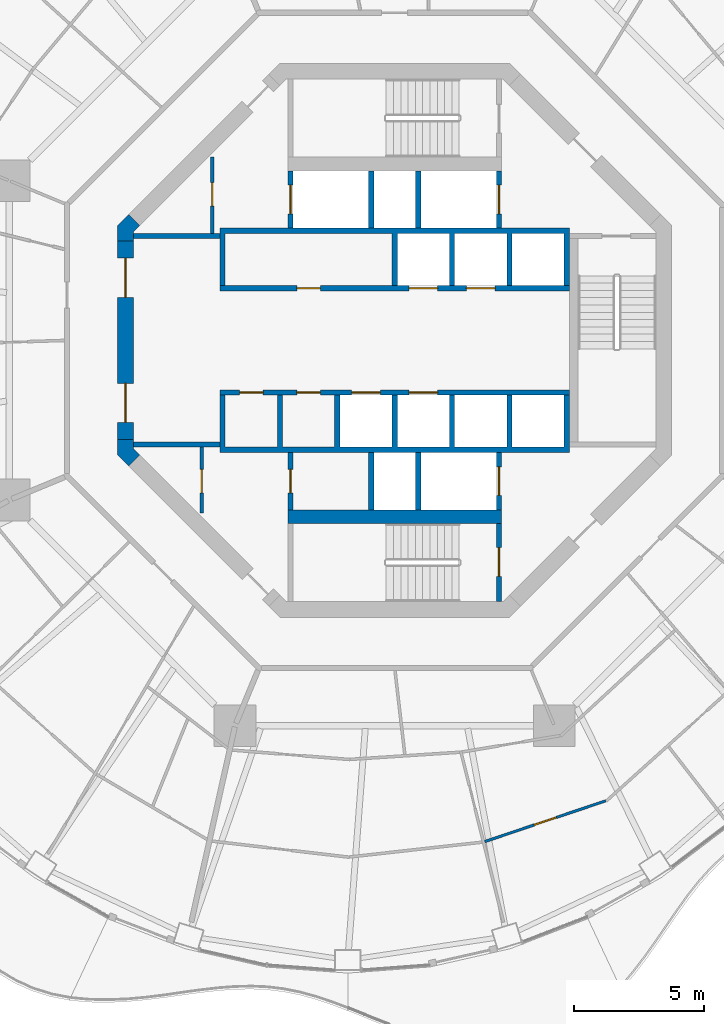
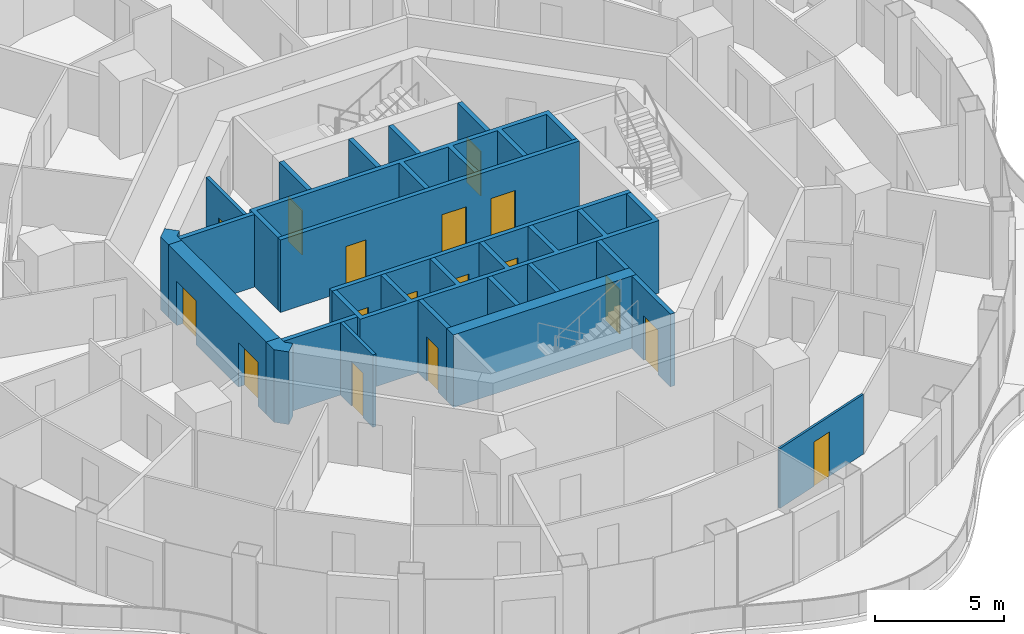
# One storey, part 11 of 18: 22 walls, 17 doors, 17 openings.
"""IFC4 building model written with IfcOpenShell, lengths in metres."""

import ifcopenshell
import ifcopenshell.guid

model = None  # the IFC model being written
_history = None  # IfcOwnerHistory: only IFC2X3 demands one
_inside = {}  # id of a spatial element -> (the spatial element, [elements in it])
_under = {}  # id of a project, library or spatial element -> (it, [spatial elements below it])
_declared = {}  # id of a project -> (the project, [libraries it declares])
_typed = {}  # id of a type object -> (the type object, [elements of that type])
_made_of = {}  # id of a material, layer set ... -> (it, [elements and type objects made of it])


def new_model(schema):
    """Start an empty IFC model of exactly this schema.

    Asked for "IFC4X3", IfcOpenShell would pick the latest addendum, in which some entities
    have other attributes; the version numbers below select the first issue.
    IFC2X3 requires an IfcOwnerHistory on every rooted entity: one is made here for all.
    """
    global model, _history
    if schema == "IFC4X3":
        model = ifcopenshell.file(schema_version=(4, 3, 0, 0))
    else:
        model = ifcopenshell.file(schema=schema)
    _inside.clear()
    _under.clear()
    _declared.clear()
    _typed.clear()
    _made_of.clear()
    _history = None
    if model.schema == "IFC2X3":
        org = make("IfcOrganization", Name="unknown")
        user = make(
            "IfcPersonAndOrganization",
            ThePerson=make("IfcPerson", FamilyName="unknown"),
            TheOrganization=org,
        )
        app = make(
            "IfcApplication",
            ApplicationDeveloper=org,
            Version="unknown",
            ApplicationFullName="unknown",
            ApplicationIdentifier="unknown",
        )
        _history = make(
            "IfcOwnerHistory",
            OwningUser=user,
            OwningApplication=app,
            ChangeAction="ADDED",
            CreationDate=0,
        )
    return model


def make(cls, **values):
    """One entity of the class cls with the attributes given. An attribute that is None is left unset."""
    return model.create_entity(
        cls, **{name: value for name, value in values.items() if value is not None}
    )


def rooted(cls, **values):
    """An entity with a GlobalId (a new one), such as an element, a storey or a relation."""
    return make(cls, GlobalId=ifcopenshell.guid.new(), OwnerHistory=_history, **values)


def si_unit(unit_type, name, prefix=None):
    """IfcSIUnit, for example si_unit("LENGTHUNIT", "METRE", prefix="MILLI")."""
    return make("IfcSIUnit", UnitType=unit_type, Prefix=prefix, Name=name)


def assignment(units):
    """IfcUnitAssignment: the units of a project."""
    return None if units is None else make("IfcUnitAssignment", Units=units)


def point(xyz):
    """IfcCartesianPoint."""
    return None if xyz is None else make("IfcCartesianPoint", Coordinates=xyz)


def direction(xyz):
    """IfcDirection."""
    return None if xyz is None else make("IfcDirection", DirectionRatios=xyz)


def frame(location, z_axis=None, x_axis=None):
    """IfcAxis2Placement3D, a coordinate frame: its origin and axes. An axis left out is left unset."""
    return make(
        "IfcAxis2Placement3D",
        Location=point(location),
        Axis=direction(z_axis),
        RefDirection=direction(x_axis),
    )


def frame_2d(location, x_axis=None):
    """IfcAxis2Placement2D, a coordinate frame in the plane: its origin and x axis."""
    return make(
        "IfcAxis2Placement2D", Location=point(location), RefDirection=direction(x_axis)
    )


def origin():
    """The frame at (0, 0, 0) with its axes left unset."""
    return frame((0.0, 0.0, 0.0))


def place(relative_to, where):
    """IfcLocalPlacement: puts the frame where relative to a parent placement (None: the world)."""
    return make(
        "IfcLocalPlacement", PlacementRelTo=relative_to, RelativePlacement=where
    )


def context(
    kind, dimensions, precision=None, world=None, true_north=None, identifier=None
):
    """IfcGeometricRepresentationContext, for example the 3D "Model" context."""
    return make(
        "IfcGeometricRepresentationContext",
        ContextIdentifier=identifier,
        ContextType=kind,
        CoordinateSpaceDimension=dimensions,
        Precision=precision,
        WorldCoordinateSystem=world,
        TrueNorth=true_north,
    )


def subcontext(parent, identifier, kind, view, scale=None):
    """IfcGeometricRepresentationSubContext, for example "Body" below "Model"."""
    return make(
        "IfcGeometricRepresentationSubContext",
        ContextIdentifier=identifier,
        ContextType=kind,
        ParentContext=parent,
        TargetScale=scale,
        TargetView=view,
    )


def project(units=None, contexts=None):
    """IfcProject with its units and contexts."""
    return rooted(
        "IfcProject",
        Name="project",
        RepresentationContexts=contexts,
        UnitsInContext=assignment(units),
    )


def spatial(cls, under=None, at=None, **own):
    """A site, building, storey or space (cls), placed at a placement, below another one or the project."""
    s = rooted(cls, ObjectPlacement=at, **own)
    if under is not None:
        _under.setdefault(under.id(), (under, []))[1].append(s)
    return s


def polyline(points):
    """IfcPolyline through the points."""
    return make("IfcPolyline", Points=[point(p) for p in points])


def profile(cls, at=None, kind="AREA", **sizes):
    """A parametric profile (cls). Its sizes go by their IFC names, for example OverallWidth=200.0."""
    return make(cls, ProfileType=kind, Position=at, **sizes)


def rectangle(**sizes):
    """IfcRectangleProfileDef."""
    return profile("IfcRectangleProfileDef", **sizes)


def outline(outer, holes=None, kind="AREA"):
    """IfcArbitraryClosedProfileDef: a profile drawn as a closed curve; with holes, ...WithVoids."""
    if holes is None:
        return make("IfcArbitraryClosedProfileDef", ProfileType=kind, OuterCurve=outer)
    return make(
        "IfcArbitraryProfileDefWithVoids",
        ProfileType=kind,
        OuterCurve=outer,
        InnerCurves=holes,
    )


def extrude(swept, where, along, depth):
    """IfcExtrudedAreaSolid: the profile swept, set in the frame where, extruded along a direction by depth."""
    return make(
        "IfcExtrudedAreaSolid",
        SweptArea=swept,
        Position=where,
        ExtrudedDirection=direction(along),
        Depth=depth,
    )


def shape(context_of_items, identifier, shape_type, items):
    """IfcShapeRepresentation: the items that make up one representation, for example the "Body"."""
    return make(
        "IfcShapeRepresentation",
        ContextOfItems=context_of_items,
        RepresentationIdentifier=identifier,
        RepresentationType=shape_type,
        Items=items,
    )


def material(Name=None, Category=None):
    """IfcMaterial."""
    return make("IfcMaterial", Name=Name, Category=Category)


def layer(
    of_material, thickness, ventilated=None, Name=None, Category=None, Priority=None
):
    """IfcMaterialLayer: one layer of a wall or slab, of a material (None: an air gap)."""
    return make(
        "IfcMaterialLayer",
        Material=of_material,
        LayerThickness=thickness,
        IsVentilated=ventilated,
        Name=Name,
        Category=Category,
        Priority=Priority,
    )


def layer_set(layers, Name=None):
    """IfcMaterialLayerSet."""
    return make("IfcMaterialLayerSet", MaterialLayers=layers, LayerSetName=Name)


def made_of(thing, what):
    """Note that an element or type object is made of a material, layer set ...; save() writes the relation."""
    if what is not None:
        _made_of.setdefault(what.id(), (what, []))[1].append(thing)
    return thing


def type_object(cls, material=None, **own):
    """A type object (cls), such as IfcWallType, which elements share."""
    return made_of(rooted(cls, **own), material)


def element(
    cls,
    number,
    at=None,
    inside=None,
    cuts=None,
    type_object=None,
    material=None,
    context=None,
    identifier="Body",
    shape_type=None,
    held_by="IfcProductDefinitionShape",
    body=None,
    shapes=None,
    **own,
):
    """One element of the class cls, such as IfcWall. Its Tag is "e" and its number.

    at: its placement. inside: the storey or other place that contains it. cuts: it is an
    opening in that element (IfcRelVoidsElement). A single representation is given by context,
    identifier, shape_type and body (its items); several are given by shapes. held_by: the class
    of the entity that holds the representations. save() writes the other relations.
    """
    e = rooted(cls, Tag="e%d" % number, ObjectPlacement=at, **own)
    if body is not None:
        shapes = [shape(context, identifier, shape_type, body)]
    if shapes is not None:
        e.Representation = make(held_by, Representations=shapes)
    if inside is not None:
        _inside.setdefault(inside.id(), (inside, []))[1].append(e)
    if cuts is not None:
        rooted(
            "IfcRelVoidsElement", RelatingBuildingElement=cuts, RelatedOpeningElement=e
        )
    if type_object is not None:
        _typed.setdefault(type_object.id(), (type_object, []))[1].append(e)
    return made_of(e, material)


def fill(opening, filler):
    """IfcRelFillsElement: the door or window that sits in an opening."""
    return rooted(
        "IfcRelFillsElement",
        RelatingOpeningElement=opening,
        RelatedBuildingElement=filler,
    )


def aggregate(whole, parts):
    """IfcRelAggregates: a whole, such as a stair, and the parts it consists of."""
    return rooted("IfcRelAggregates", RelatingObject=whole, RelatedObjects=parts)


def save(model, path):
    """Write the relations noted so far, then the file.

    IfcRelAggregates (storeys below a building ...), IfcRelContainedInSpatialStructure (elements
    in a storey), IfcRelDefinesByType, IfcRelAssociatesMaterial and IfcRelDeclares: one each for
    every whole, place, type object, material and project.
    """
    for whole, parts in _under.values():
        aggregate(whole, parts)
    for where, things in _inside.values():
        rooted(
            "IfcRelContainedInSpatialStructure",
            RelatedElements=things,
            RelatingStructure=where,
        )
    for kind, things in _typed.values():
        rooted("IfcRelDefinesByType", RelatedObjects=things, RelatingType=kind)
    for what, things in _made_of.values():
        rooted("IfcRelAssociatesMaterial", RelatedObjects=things, RelatingMaterial=what)
    for by, libraries in _declared.values():
        rooted("IfcRelDeclares", RelatingContext=by, RelatedDefinitions=libraries)
    model.write(path)


model = new_model("IFC4")

# Units and contexts
model_context = context("Model", 3, precision=1e-05, world=origin(), true_north=direction((0.0, 1.0)))
body_context = subcontext(model_context, "Body", "Model", "MODEL_VIEW")
ifc_project = project(units=[si_unit("LENGTHUNIT", "METRE"), si_unit("AREAUNIT", "SQUARE_METRE"), si_unit("VOLUMEUNIT", "CUBIC_METRE"), si_unit("PLANEANGLEUNIT", "RADIAN"), si_unit("MASSUNIT", "GRAM", prefix="KILO")], contexts=[model_context])

# Site, building, storey
site_placement = place(None, origin())
site = spatial("IfcSite", under=ifc_project, at=site_placement, CompositionType="ELEMENT")
building_placement = place(site_placement, origin())
building = spatial("IfcBuilding", under=site, at=building_placement, Name="Nagisa Residences", CompositionType="ELEMENT")
storey_placement = place(building_placement, frame((0.0, 0.0, 238.10009765625)))
storey = spatial("IfcBuildingStorey", under=building, at=storey_placement, Name="L60", CompositionType="ELEMENT", Elevation=238.10009765625)

# Wall, opening, door
ifc_material_1 = material(Name="Gypsum board on steel studs", Category="steel")
ifc_layer_1 = layer(ifc_material_1, 0.10009765625)
ifc_layer_set_1 = layer_set([ifc_layer_1], Name="Apartment partition 100")
wall_type_1 = type_object("IfcWallType", Name="Apartment partition 100", PredefinedType="PARTITIONING", material=ifc_layer_set_1)
wall_1_placement = place(storey_placement, frame((3.453125, -19.228759765625, 0.0), z_axis=(0.0, 0.0, 1.0), x_axis=(0.947572025416, 0.319542261133, 0.0)))
wall_1 = element("IfcWall", 1, at=wall_1_placement, inside=storey, type_object=wall_type_1, Name="wall:L60:u80", PredefinedType="PARTITIONING", context=body_context, shape_type="SweptSolid", body=[
    extrude(rectangle(XDim=4.90283203125, YDim=0.10009765625, at=frame_2d((2.451416015625, 0.0))), origin(), (0.0, 0.0, 1.0), 2.8369140625),
])
opening_1_placement = place(wall_1_placement, frame((2.00146484375, 0.0, 0.0)))
opening_1 = element("IfcOpeningElement", 2, at=opening_1_placement, cuts=wall_1, Name="Opening L60-U14", PredefinedType="OPENING", context=body_context, shape_type="SweptSolid", body=[
    extrude(rectangle(XDim=0.89990234375, YDim=2.10009765625, at=frame_2d((0.449951171875, 1.050048828125))), frame((0.0, 0.06005859375, 0.0), z_axis=(0.0, -1.0, 0.0), x_axis=(1.0, 0.0, 0.0)), (0.0, 0.0, 1.0), 0.1201171875),
])
ifc_material_2 = material(Name="Timber door set", Category="wood")
door_type_1 = type_object("IfcDoorType", Name="Apartment door 900x2100", OperationType="NOTDEFINED", PredefinedType="DOOR", material=ifc_material_2)
door_1_placement = place(opening_1_placement, frame((0.89990234375, 0.0, 0.0), x_axis=(-1.0, 0.0, 0.0)))
door_1 = element("IfcDoor", 3, at=door_1_placement, inside=storey, type_object=door_type_1, Name="Door to master bedroom, Apartment 60B", OperationType="SINGLE_SWING_LEFT", OverallHeight=2.10009765625, OverallWidth=0.89990234375, PredefinedType="DOOR", context=body_context, shape_type="SweptSolid", body=[
    extrude(rectangle(XDim=0.89990234375, YDim=2.10009765625, at=frame_2d((0.449951171875, 1.050048828125))), frame((0.0, 0.02490234375, 0.0), z_axis=(0.0, -1.0, 0.0), x_axis=(1.0, 0.0, 0.0)), (0.0, 0.0, 1.0), 0.050048828125),
])
fill(opening_1, door_1)

ifc_material_3 = material(Name="Gypsum board on steel studs", Category="steel")
ifc_layer_2 = layer(ifc_material_3, 0.14990234375)
ifc_layer_set_2 = layer_set([ifc_layer_2], Name="Core partition 150")
wall_type_2 = type_object("IfcWallType", Name="Core partition 150", PredefinedType="PARTITIONING", material=ifc_layer_set_2)
wall_2_placement = place(storey_placement, frame((-7.0, 4.10009765625, 0.0), z_axis=(0.0, 0.0, 1.0), x_axis=(0.0, 1.0, 0.0)))
wall_2 = element("IfcWall", 4, at=wall_2_placement, inside=storey, type_object=wall_type_2, Name="wall:L60:NWp", PredefinedType="PARTITIONING", context=body_context, shape_type="SweptSolid", body=[
    extrude(rectangle(XDim=2.9267578125, YDim=0.14990234375, at=frame_2d((1.46337890625, 0.0))), origin(), (0.0, 0.0, 1.0), 3.43994140625),
])
opening_2_placement = place(wall_2_placement, frame((1.051025390625, 0.0, 0.0)))
opening_2 = element("IfcOpeningElement", 5, at=opening_2_placement, cuts=wall_2, Name="Opening L60-C11", PredefinedType="OPENING", context=body_context, shape_type="SweptSolid", body=[
    extrude(rectangle(XDim=0.89990234375, YDim=2.10009765625, at=frame_2d((0.449951171875, 1.050048828125))), frame((0.0, 0.0849609375, 0.0), z_axis=(0.0, -1.0, 0.0), x_axis=(1.0, 0.0, 0.0)), (0.0, 0.0, 1.0), 0.169921875),
])
ifc_material_4 = material(Name="Steel fire door", Category="steel")
door_type_2 = type_object("IfcDoorType", Name="Fire door EI30 900x2100 single swing", OperationType="NOTDEFINED", PredefinedType="DOOR", material=ifc_material_4)
door_2_placement = place(opening_2_placement, origin())
door_2 = element("IfcDoor", 6, at=door_2_placement, inside=storey, type_object=door_type_2, Name="Staff WC door L60", OperationType="SINGLE_SWING_RIGHT", OverallHeight=2.10009765625, OverallWidth=0.89990234375, PredefinedType="DOOR", context=body_context, shape_type="SweptSolid", body=[
    extrude(rectangle(XDim=0.89990234375, YDim=2.10009765625, at=frame_2d((0.449951171875, 1.050048828125))), frame((0.0, 0.02490234375, 0.0), z_axis=(0.0, -1.0, 0.0), x_axis=(1.0, 0.0, 0.0)), (0.0, 0.0, 1.0), 0.050048828125),
])
fill(opening_2, door_2)

wall_3_placement = place(storey_placement, frame((-7.39990234375, -6.626953125, 0.0), z_axis=(0.0, 0.0, 1.0), x_axis=(0.0, 1.0, 0.0)))
wall_3 = element("IfcWall", 7, at=wall_3_placement, inside=storey, type_object=wall_type_2, Name="wall:L60:SWp", PredefinedType="PARTITIONING", context=body_context, shape_type="SweptSolid", body=[
    extrude(rectangle(XDim=2.52685546875, YDim=0.14990234375, at=frame_2d((1.263427734375, 0.0))), origin(), (0.0, 0.0, 1.0), 3.43994140625),
])
opening_3_placement = place(wall_3_placement, frame((0.77587890625, 0.0, 0.0)))
opening_3 = element("IfcOpeningElement", 8, at=opening_3_placement, cuts=wall_3, Name="Opening L60-C12", PredefinedType="OPENING", context=body_context, shape_type="SweptSolid", body=[
    extrude(rectangle(XDim=0.89990234375, YDim=2.10009765625, at=frame_2d((0.449951171875, 1.050048828125))), frame((0.0, 0.0849609375, 0.0), z_axis=(0.0, -1.0, 0.0), x_axis=(1.0, 0.0, 0.0)), (0.0, 0.0, 1.0), 0.169921875),
])
door_3_placement = place(opening_3_placement, origin())
door_3 = element("IfcDoor", 9, at=door_3_placement, inside=storey, type_object=door_type_2, Name="Telecom room door L60", OperationType="SINGLE_SWING_RIGHT", OverallHeight=2.10009765625, OverallWidth=0.89990234375, PredefinedType="DOOR", context=body_context, shape_type="SweptSolid", body=[
    extrude(rectangle(XDim=0.89990234375, YDim=2.10009765625, at=frame_2d((0.449951171875, 1.050048828125))), frame((0.0, 0.02490234375, 0.0), z_axis=(0.0, -1.0, 0.0), x_axis=(1.0, 0.0, 0.0)), (0.0, 0.0, 1.0), 0.050048828125),
])
fill(opening_3, door_3)

# Walls
ifc_material_5 = material(Name="Gypsum board on steel studs", Category="steel")
ifc_layer_3 = layer(ifc_material_5, 0.199951171875)
ifc_layer_set_3 = layer_set([ifc_layer_3], Name="Core partition 200")
wall_type_3 = type_object("IfcWallType", Name="Core partition 200", PredefinedType="PARTITIONING", material=ifc_layer_set_3)
for number, where, z_axis, x_axis, name in (
    (10, (-10.024658203125, -4.0, 0.0), (0.0, 0.0, 1.0), (1.0, 0.0, 0.0), "wall:L60:PSW"),
    (11, (-10.024658203125, 4.0, 0.0), (0.0, 0.0, 1.0), (1.0, 0.0, 0.0), "wall:L60:PNW"),
):
    element("IfcWall", number, at=place(storey_placement, frame(where, z_axis=z_axis, x_axis=x_axis)), inside=storey, type_object=wall_type_3, Name=name, PredefinedType="PARTITIONING", context=body_context, shape_type="SweptSolid", body=[
        extrude(rectangle(XDim=3.32470703125, YDim=0.199951171875, at=frame_2d((1.662353515625, 0.0))), origin(), (0.0, 0.0, 1.0), 3.43994140625),
    ])

# Wall, openings, doors
ifc_material_6 = material(Name="Concrete C60", Category="concrete")
ifc_layer_4 = layer(ifc_material_6, 0.60009765625)
ifc_layer_set_4 = layer_set([ifc_layer_4], Name="Core shear wall 600")
wall_type_4 = type_object("IfcWallType", Name="Core shear wall 600", PredefinedType="SHEAR", material=ifc_layer_set_4)
wall_4_placement = place(storey_placement, frame((-10.32470703125, 3.80078125, 0.0), z_axis=(0.0, 0.0, 1.0), x_axis=(0.0, -1.0, 0.0)))
wall_4 = element("IfcWall", 12, at=wall_4_placement, inside=storey, type_object=wall_type_4, Name="wall:L60:core:flat4", PredefinedType="SHEAR", context=body_context, shape_type="SweptSolid", body=[
    extrude(rectangle(XDim=7.6015625, YDim=0.60009765625, at=frame_2d((3.80078125, 0.0))), origin(), (0.0, 0.0, 1.0), 3.43994140625),
])
opening_4_placement = place(wall_4_placement, frame((0.65087890625, 0.0, 0.0)))
opening_4 = element("IfcOpeningElement", 13, at=opening_4_placement, cuts=wall_4, Name="Opening L60-C19", PredefinedType="OPENING", context=body_context, shape_type="SweptSolid", body=[
    extrude(rectangle(XDim=1.5, YDim=2.10009765625, at=frame_2d((0.75, 1.050048828125))), frame((0.0, 0.31005859375, 0.0), z_axis=(0.0, -1.0, 0.0), x_axis=(1.0, 0.0, 0.0)), (0.0, 0.0, 1.0), 0.6201171875),
])
opening_5_placement = place(wall_4_placement, frame((5.450927734375, 0.0, 0.0)))
opening_5 = element("IfcOpeningElement", 14, at=opening_5_placement, cuts=wall_4, Name="Opening L60-C20", PredefinedType="OPENING", context=body_context, shape_type="SweptSolid", body=[
    extrude(rectangle(XDim=1.5, YDim=2.10009765625, at=frame_2d((0.75, 1.050048828125))), frame((0.0, 0.31005859375, 0.0), z_axis=(0.0, -1.0, 0.0), x_axis=(1.0, 0.0, 0.0)), (0.0, 0.0, 1.0), 0.6201171875),
])
ifc_material_7 = material(Name="Steel fire door", Category="steel")
door_type_3 = type_object("IfcDoorType", Name="Fire door EI60 1500x2100 double door single swing", OperationType="DOUBLE_DOOR_SINGLE_SWING", PredefinedType="DOOR", material=ifc_material_7)
door_4_placement = place(opening_4_placement, origin())
door_4 = element("IfcDoor", 15, at=door_4_placement, inside=storey, type_object=door_type_3, Name="Lift lobby door L60 1", OperationType="DOUBLE_DOOR_SINGLE_SWING", OverallHeight=2.10009765625, OverallWidth=1.5, PredefinedType="DOOR", context=body_context, shape_type="SweptSolid", body=[
    extrude(rectangle(XDim=1.5, YDim=2.10009765625, at=frame_2d((0.75, 1.050048828125))), frame((0.0, 0.02490234375, 0.0), z_axis=(0.0, -1.0, 0.0), x_axis=(1.0, 0.0, 0.0)), (0.0, 0.0, 1.0), 0.050048828125),
])
fill(opening_4, door_4)
door_5_placement = place(opening_5_placement, origin())
door_5 = element("IfcDoor", 16, at=door_5_placement, inside=storey, type_object=door_type_3, Name="Lift lobby door L60 2", OperationType="DOUBLE_DOOR_SINGLE_SWING", OverallHeight=2.10009765625, OverallWidth=1.5, PredefinedType="DOOR", context=body_context, shape_type="SweptSolid", body=[
    extrude(rectangle(XDim=1.5, YDim=2.10009765625, at=frame_2d((0.75, 1.050048828125))), frame((0.0, 0.02490234375, 0.0), z_axis=(0.0, -1.0, 0.0), x_axis=(1.0, 0.0, 0.0)), (0.0, 0.0, 1.0), 0.050048828125),
])
fill(opening_5, door_5)

# Walls
wall_5_placement = place(storey_placement, origin())
element("IfcWall", 17, at=wall_5_placement, inside=storey, type_object=wall_type_4, Name="wall:L60:core:pier4", PredefinedType="SHEAR", context=body_context, shape_type="SweptSolid", body=[
    extrude(outline(polyline([(-10.62451171875, -3.80078125), (-10.024658203125, -3.80078125), (-10.024658203125, -4.15234375), (-9.776123046875, -4.40087890625), (-10.200439453125, -4.8251953125), (-10.62451171875, -4.40087890625), (-10.62451171875, -3.80078125)])), origin(), (0.0, 0.0, 1.0), 3.43994140625),
])
wall_6_placement = place(storey_placement, origin())
element("IfcWall", 18, at=wall_6_placement, inside=storey, type_object=wall_type_4, Name="wall:L60:core:pier3", PredefinedType="SHEAR", context=body_context, shape_type="SweptSolid", body=[
    extrude(outline(polyline([(-10.200439453125, 4.8251953125), (-9.776123046875, 4.40087890625), (-10.024658203125, 4.15234375), (-10.024658203125, 3.80078125), (-10.62451171875, 3.80078125), (-10.62451171875, 4.40087890625), (-10.200439453125, 4.8251953125)])), origin(), (0.0, 0.0, 1.0), 3.43994140625),
])

# Wall, opening, door
ifc_material_8 = material(Name="Concrete C60", Category="concrete")
ifc_layer_5 = layer(ifc_material_8, 0.199951171875)
ifc_layer_set_5 = layer_set([ifc_layer_5], Name="Lift shaft wall 200")
wall_type_5 = type_object("IfcWallType", Name="Lift shaft wall 200", PredefinedType="SOLIDWALL", material=ifc_layer_set_5)
wall_7_placement = place(storey_placement, frame((4.0, 4.300048828125, 0.0), z_axis=(0.0, 0.0, 1.0), x_axis=(0.0, 1.0, 0.0)))
wall_7 = element("IfcWall", 19, at=wall_7_placement, inside=storey, type_object=wall_type_5, Name="wall:L60:Nb3", PredefinedType="SOLIDWALL", context=body_context, shape_type="SweptSolid", body=[
    extrude(rectangle(XDim=2.199951171875, YDim=0.199951171875, at=frame_2d((1.10009765625, 0.0))), origin(), (0.0, 0.0, 1.0), 3.43994140625),
])
opening_6_placement = place(wall_7_placement, frame((0.550048828125, 0.0, 0.0)))
opening_6 = element("IfcOpeningElement", 20, at=opening_6_placement, cuts=wall_7, Name="Opening L60-C05", PredefinedType="OPENING", context=body_context, shape_type="SweptSolid", body=[
    extrude(rectangle(XDim=1.10009765625, YDim=2.10009765625, at=frame_2d((0.550048828125, 1.050048828125))), frame((0.0, 0.10986328125, 0.0), z_axis=(0.0, -1.0, 0.0), x_axis=(1.0, 0.0, 0.0)), (0.0, 0.0, 1.0), 0.219970703125),
])
ifc_material_9 = material(Name="Stainless steel", Category="steel")
door_type_4 = type_object("IfcDoorType", Name="Lift landing door 1100x2100", OperationType="DOUBLE_DOOR_SLIDING", PredefinedType="DOOR", material=ifc_material_9)
door_6_placement = place(opening_6_placement, origin())
door_6 = element("IfcDoor", 21, at=door_6_placement, inside=storey, type_object=door_type_4, Name="Landing door FL1 L60", OperationType="DOUBLE_DOOR_SLIDING", OverallHeight=2.10009765625, OverallWidth=1.10009765625, PredefinedType="DOOR", context=body_context, shape_type="SweptSolid", body=[
    extrude(rectangle(XDim=1.10009765625, YDim=2.10009765625, at=frame_2d((0.550048828125, 1.050048828125))), frame((0.0, 0.02490234375, 0.0), z_axis=(0.0, -1.0, 0.0), x_axis=(1.0, 0.0, 0.0)), (0.0, 0.0, 1.0), 0.050048828125),
])
fill(opening_6, door_6)

wall_8_placement = place(storey_placement, frame((-4.0, 4.300048828125, 0.0), z_axis=(0.0, 0.0, 1.0), x_axis=(0.0, 1.0, 0.0)))
wall_8 = element("IfcWall", 22, at=wall_8_placement, inside=storey, type_object=wall_type_5, Name="wall:L60:Nb4", PredefinedType="SOLIDWALL", context=body_context, shape_type="SweptSolid", body=[
    extrude(rectangle(XDim=2.199951171875, YDim=0.199951171875, at=frame_2d((1.10009765625, 0.0))), origin(), (0.0, 0.0, 1.0), 3.43994140625),
])
opening_7_placement = place(wall_8_placement, frame((0.550048828125, 0.0, 0.0)))
opening_7 = element("IfcOpeningElement", 23, at=opening_7_placement, cuts=wall_8, Name="Opening L60-C07", PredefinedType="OPENING", context=body_context, shape_type="SweptSolid", body=[
    extrude(rectangle(XDim=1.10009765625, YDim=2.10009765625, at=frame_2d((0.550048828125, 1.050048828125))), frame((0.0, 0.10986328125, 0.0), z_axis=(0.0, -1.0, 0.0), x_axis=(1.0, 0.0, 0.0)), (0.0, 0.0, 1.0), 0.219970703125),
])
door_7_placement = place(opening_7_placement, origin())
door_7 = element("IfcDoor", 24, at=door_7_placement, inside=storey, type_object=door_type_4, Name="Landing door SV L60", OperationType="DOUBLE_DOOR_SLIDING", OverallHeight=2.10009765625, OverallWidth=1.10009765625, PredefinedType="DOOR", context=body_context, shape_type="SweptSolid", body=[
    extrude(rectangle(XDim=1.10009765625, YDim=2.10009765625, at=frame_2d((0.550048828125, 1.050048828125))), frame((0.0, 0.02490234375, 0.0), z_axis=(0.0, -1.0, 0.0), x_axis=(1.0, 0.0, 0.0)), (0.0, 0.0, 1.0), 0.050048828125),
])
fill(opening_7, door_7)

# Wall, openings, doors
wall_9_placement = place(storey_placement, frame((-6.699951171875, 2.0, 0.0), z_axis=(0.0, 0.0, 1.0), x_axis=(1.0, 0.0, 0.0)))
wall_9 = element("IfcWall", 25, at=wall_9_placement, inside=storey, type_object=wall_type_5, Name="wall:L60:Nfront", PredefinedType="SOLIDWALL", context=body_context, shape_type="SweptSolid", body=[
    extrude(rectangle(XDim=13.39990234375, YDim=0.199951171875, at=frame_2d((6.699951171875, 0.0))), origin(), (0.0, 0.0, 1.0), 3.43994140625),
])
opening_8_placement = place(wall_9_placement, frame((7.25, 0.0, 0.0)))
opening_8 = element("IfcOpeningElement", 26, at=opening_8_placement, cuts=wall_9, Name="Opening L60-C01", PredefinedType="OPENING", context=body_context, shape_type="SweptSolid", body=[
    extrude(rectangle(XDim=1.10009765625, YDim=2.10009765625, at=frame_2d((0.550048828125, 1.050048828125))), frame((0.0, 0.10986328125, 0.0), z_axis=(0.0, -1.0, 0.0), x_axis=(1.0, 0.0, 0.0)), (0.0, 0.0, 1.0), 0.219970703125),
])
opening_9_placement = place(wall_9_placement, frame((9.449951171875, 0.0, 0.0)))
opening_9 = element("IfcOpeningElement", 27, at=opening_9_placement, cuts=wall_9, Name="Opening L60-C02", PredefinedType="OPENING", context=body_context, shape_type="SweptSolid", body=[
    extrude(rectangle(XDim=1.10009765625, YDim=2.10009765625, at=frame_2d((0.550048828125, 1.050048828125))), frame((0.0, 0.10986328125, 0.0), z_axis=(0.0, -1.0, 0.0), x_axis=(1.0, 0.0, 0.0)), (0.0, 0.0, 1.0), 0.219970703125),
])
opening_10_placement = place(wall_9_placement, frame((2.949951171875, 0.0, 0.0)))
opening_10 = element("IfcOpeningElement", 28, at=opening_10_placement, cuts=wall_9, Name="Opening L60-C14", PredefinedType="OPENING", context=body_context, shape_type="SweptSolid", body=[
    extrude(rectangle(XDim=0.89990234375, YDim=2.10009765625, at=frame_2d((0.449951171875, 1.050048828125))), frame((0.0, 0.10986328125, 0.0), z_axis=(0.0, -1.0, 0.0), x_axis=(1.0, 0.0, 0.0)), (0.0, 0.0, 1.0), 0.219970703125),
])
door_8_placement = place(opening_10_placement, origin())
door_8 = element("IfcDoor", 29, at=door_8_placement, inside=storey, type_object=door_type_2, Name="Recycling room door L60", OperationType="SINGLE_SWING_LEFT", OverallHeight=2.10009765625, OverallWidth=0.89990234375, PredefinedType="DOOR", context=body_context, shape_type="SweptSolid", body=[
    extrude(rectangle(XDim=0.89990234375, YDim=2.10009765625, at=frame_2d((0.449951171875, 1.050048828125))), frame((0.0, 0.02490234375, 0.0), z_axis=(0.0, -1.0, 0.0), x_axis=(1.0, 0.0, 0.0)), (0.0, 0.0, 1.0), 0.050048828125),
])
fill(opening_10, door_8)
door_9_placement = place(opening_8_placement, origin())
door_9 = element("IfcDoor", 30, at=door_9_placement, inside=storey, type_object=door_type_4, Name="Landing door B1 L60", OperationType="DOUBLE_DOOR_SLIDING", OverallHeight=2.10009765625, OverallWidth=1.10009765625, PredefinedType="DOOR", context=body_context, shape_type="SweptSolid", body=[
    extrude(rectangle(XDim=1.10009765625, YDim=2.10009765625, at=frame_2d((0.550048828125, 1.050048828125))), frame((0.0, 0.02490234375, 0.0), z_axis=(0.0, -1.0, 0.0), x_axis=(1.0, 0.0, 0.0)), (0.0, 0.0, 1.0), 0.050048828125),
])
fill(opening_8, door_9)
door_10_placement = place(opening_9_placement, origin())
door_10 = element("IfcDoor", 31, at=door_10_placement, inside=storey, type_object=door_type_4, Name="Landing door B2 L60", OperationType="DOUBLE_DOOR_SLIDING", OverallHeight=2.10009765625, OverallWidth=1.10009765625, PredefinedType="DOOR", context=body_context, shape_type="SweptSolid", body=[
    extrude(rectangle(XDim=1.10009765625, YDim=2.10009765625, at=frame_2d((0.550048828125, 1.050048828125))), frame((0.0, 0.02490234375, 0.0), z_axis=(0.0, -1.0, 0.0), x_axis=(1.0, 0.0, 0.0)), (0.0, 0.0, 1.0), 0.050048828125),
])
fill(opening_9, door_10)

# Wall, opening, door
wall_10_placement = place(storey_placement, frame((4.0, -6.5, 0.0), z_axis=(0.0, 0.0, 1.0), x_axis=(0.0, 1.0, 0.0)))
wall_10 = element("IfcWall", 32, at=wall_10_placement, inside=storey, type_object=wall_type_5, Name="wall:L60:Sb3", PredefinedType="SOLIDWALL", context=body_context, shape_type="SweptSolid", body=[
    extrude(rectangle(XDim=2.199951171875, YDim=0.199951171875, at=frame_2d((1.10009765625, 0.0))), origin(), (0.0, 0.0, 1.0), 3.43994140625),
])
opening_11_placement = place(wall_10_placement, frame((0.550048828125, 0.0, 0.0)))
opening_11 = element("IfcOpeningElement", 33, at=opening_11_placement, cuts=wall_10, Name="Opening L60-C06", PredefinedType="OPENING", context=body_context, shape_type="SweptSolid", body=[
    extrude(rectangle(XDim=1.10009765625, YDim=2.10009765625, at=frame_2d((0.550048828125, 1.050048828125))), frame((0.0, 0.10986328125, 0.0), z_axis=(0.0, -1.0, 0.0), x_axis=(1.0, 0.0, 0.0)), (0.0, 0.0, 1.0), 0.219970703125),
])
door_11_placement = place(opening_11_placement, origin())
door_11 = element("IfcDoor", 34, at=door_11_placement, inside=storey, type_object=door_type_4, Name="Landing door FL2 L60", OperationType="DOUBLE_DOOR_SLIDING", OverallHeight=2.10009765625, OverallWidth=1.10009765625, PredefinedType="DOOR", context=body_context, shape_type="SweptSolid", body=[
    extrude(rectangle(XDim=1.10009765625, YDim=2.10009765625, at=frame_2d((0.550048828125, 1.050048828125))), frame((0.0, 0.02490234375, 0.0), z_axis=(0.0, -1.0, 0.0), x_axis=(1.0, 0.0, 0.0)), (0.0, 0.0, 1.0), 0.050048828125),
])
fill(opening_11, door_11)

wall_11_placement = place(storey_placement, frame((-4.0, -6.5, 0.0), z_axis=(0.0, 0.0, 1.0), x_axis=(0.0, 1.0, 0.0)))
wall_11 = element("IfcWall", 35, at=wall_11_placement, inside=storey, type_object=wall_type_5, Name="wall:L60:Sb4", PredefinedType="SOLIDWALL", context=body_context, shape_type="SweptSolid", body=[
    extrude(rectangle(XDim=2.199951171875, YDim=0.199951171875, at=frame_2d((1.10009765625, 0.0))), origin(), (0.0, 0.0, 1.0), 3.43994140625),
])
opening_12_placement = place(wall_11_placement, frame((0.64990234375, 0.0, 0.0)))
opening_12 = element("IfcOpeningElement", 36, at=opening_12_placement, cuts=wall_11, Name="Opening L60-C13", PredefinedType="OPENING", context=body_context, shape_type="SweptSolid", body=[
    extrude(rectangle(XDim=0.89990234375, YDim=2.10009765625, at=frame_2d((0.449951171875, 1.050048828125))), frame((0.0, 0.10986328125, 0.0), z_axis=(0.0, -1.0, 0.0), x_axis=(1.0, 0.0, 0.0)), (0.0, 0.0, 1.0), 0.219970703125),
])
door_12_placement = place(opening_12_placement, frame((0.89990234375, 0.0, 0.0), x_axis=(-1.0, 0.0, 0.0)))
door_12 = element("IfcDoor", 37, at=door_12_placement, inside=storey, type_object=door_type_2, Name="Refuse room door L60", OperationType="SINGLE_SWING_RIGHT", OverallHeight=2.10009765625, OverallWidth=0.89990234375, PredefinedType="DOOR", context=body_context, shape_type="SweptSolid", body=[
    extrude(rectangle(XDim=0.89990234375, YDim=2.10009765625, at=frame_2d((0.449951171875, 1.050048828125))), frame((0.0, 0.02490234375, 0.0), z_axis=(0.0, -1.0, 0.0), x_axis=(1.0, 0.0, 0.0)), (0.0, 0.0, 1.0), 0.050048828125),
])
fill(opening_12, door_12)

# Wall, openings, doors
wall_12_placement = place(storey_placement, frame((-6.699951171875, -2.0, 0.0), z_axis=(0.0, 0.0, 1.0), x_axis=(1.0, 0.0, 0.0)))
wall_12 = element("IfcWall", 38, at=wall_12_placement, inside=storey, type_object=wall_type_5, Name="wall:L60:Sfront", PredefinedType="SOLIDWALL", context=body_context, shape_type="SweptSolid", body=[
    extrude(rectangle(XDim=13.39990234375, YDim=0.199951171875, at=frame_2d((6.699951171875, 0.0))), origin(), (0.0, 0.0, 1.0), 3.43994140625),
])
opening_13_placement = place(wall_12_placement, frame((5.050048828125, 0.0, 0.0)))
opening_13 = element("IfcOpeningElement", 39, at=opening_13_placement, cuts=wall_12, Name="Opening L60-C03", PredefinedType="OPENING", context=body_context, shape_type="SweptSolid", body=[
    extrude(rectangle(XDim=1.10009765625, YDim=2.10009765625, at=frame_2d((0.550048828125, 1.050048828125))), frame((0.0, 0.10986328125, 0.0), z_axis=(0.0, -1.0, 0.0), x_axis=(1.0, 0.0, 0.0)), (0.0, 0.0, 1.0), 0.219970703125),
])
opening_14_placement = place(wall_12_placement, frame((7.25, 0.0, 0.0)))
opening_14 = element("IfcOpeningElement", 40, at=opening_14_placement, cuts=wall_12, Name="Opening L60-C04", PredefinedType="OPENING", context=body_context, shape_type="SweptSolid", body=[
    extrude(rectangle(XDim=1.10009765625, YDim=2.10009765625, at=frame_2d((0.550048828125, 1.050048828125))), frame((0.0, 0.10986328125, 0.0), z_axis=(0.0, -1.0, 0.0), x_axis=(1.0, 0.0, 0.0)), (0.0, 0.0, 1.0), 0.219970703125),
])
opening_15_placement = place(wall_12_placement, frame((0.75, 0.0, 0.0)))
opening_15 = element("IfcOpeningElement", 41, at=opening_15_placement, cuts=wall_12, Name="Opening L60-C15", PredefinedType="OPENING", context=body_context, shape_type="SweptSolid", body=[
    extrude(rectangle(XDim=0.89990234375, YDim=2.10009765625, at=frame_2d((0.449951171875, 1.050048828125))), frame((0.0, 0.10986328125, 0.0), z_axis=(0.0, -1.0, 0.0), x_axis=(1.0, 0.0, 0.0)), (0.0, 0.0, 1.0), 0.219970703125),
])
opening_16_placement = place(wall_12_placement, frame((2.949951171875, 0.0, 0.0)))
opening_16 = element("IfcOpeningElement", 42, at=opening_16_placement, cuts=wall_12, Name="Opening L60-C16", PredefinedType="OPENING", context=body_context, shape_type="SweptSolid", body=[
    extrude(rectangle(XDim=0.89990234375, YDim=2.10009765625, at=frame_2d((0.449951171875, 1.050048828125))), frame((0.0, 0.10986328125, 0.0), z_axis=(0.0, -1.0, 0.0), x_axis=(1.0, 0.0, 0.0)), (0.0, 0.0, 1.0), 0.219970703125),
])
door_13_placement = place(opening_15_placement, frame((0.89990234375, 0.0, 0.0), x_axis=(-1.0, 0.0, 0.0)))
door_13 = element("IfcDoor", 43, at=door_13_placement, inside=storey, type_object=door_type_2, Name="Stationery store door L60", OperationType="SINGLE_SWING_RIGHT", OverallHeight=2.10009765625, OverallWidth=0.89990234375, PredefinedType="DOOR", context=body_context, shape_type="SweptSolid", body=[
    extrude(rectangle(XDim=0.89990234375, YDim=2.10009765625, at=frame_2d((0.449951171875, 1.050048828125))), frame((0.0, 0.02490234375, 0.0), z_axis=(0.0, -1.0, 0.0), x_axis=(1.0, 0.0, 0.0)), (0.0, 0.0, 1.0), 0.050048828125),
])
fill(opening_15, door_13)
door_14_placement = place(opening_16_placement, frame((0.89990234375, 0.0, 0.0), x_axis=(-1.0, 0.0, 0.0)))
door_14 = element("IfcDoor", 44, at=door_14_placement, inside=storey, type_object=door_type_2, Name="Wine store door L60", OperationType="SINGLE_SWING_RIGHT", OverallHeight=2.10009765625, OverallWidth=0.89990234375, PredefinedType="DOOR", context=body_context, shape_type="SweptSolid", body=[
    extrude(rectangle(XDim=0.89990234375, YDim=2.10009765625, at=frame_2d((0.449951171875, 1.050048828125))), frame((0.0, 0.02490234375, 0.0), z_axis=(0.0, -1.0, 0.0), x_axis=(1.0, 0.0, 0.0)), (0.0, 0.0, 1.0), 0.050048828125),
])
fill(opening_16, door_14)
door_15_placement = place(opening_13_placement, origin())
door_15 = element("IfcDoor", 45, at=door_15_placement, inside=storey, type_object=door_type_4, Name="Landing door B3 L60", OperationType="DOUBLE_DOOR_SLIDING", OverallHeight=2.10009765625, OverallWidth=1.10009765625, PredefinedType="DOOR", context=body_context, shape_type="SweptSolid", body=[
    extrude(rectangle(XDim=1.10009765625, YDim=2.10009765625, at=frame_2d((0.550048828125, 1.050048828125))), frame((0.0, 0.02490234375, 0.0), z_axis=(0.0, -1.0, 0.0), x_axis=(1.0, 0.0, 0.0)), (0.0, 0.0, 1.0), 0.050048828125),
])
fill(opening_13, door_15)
door_16_placement = place(opening_14_placement, origin())
door_16 = element("IfcDoor", 46, at=door_16_placement, inside=storey, type_object=door_type_4, Name="Landing door B4 L60", OperationType="DOUBLE_DOOR_SLIDING", OverallHeight=2.10009765625, OverallWidth=1.10009765625, PredefinedType="DOOR", context=body_context, shape_type="SweptSolid", body=[
    extrude(rectangle(XDim=1.10009765625, YDim=2.10009765625, at=frame_2d((0.550048828125, 1.050048828125))), frame((0.0, 0.02490234375, 0.0), z_axis=(0.0, -1.0, 0.0), x_axis=(1.0, 0.0, 0.0)), (0.0, 0.0, 1.0), 0.050048828125),
])
fill(opening_14, door_16)

# Walls
for number, where, z_axis, x_axis, name in (
    (47, (-0.89990234375, -6.5, 0.0), (0.0, 0.0, 1.0), (0.0, 1.0, 0.0), "wall:L60:Sb1"),
    (48, (0.89990234375, -6.5, 0.0), (0.0, 0.0, 1.0), (0.0, 1.0, 0.0), "wall:L60:Sb2"),
):
    element("IfcWall", number, at=place(storey_placement, frame(where, z_axis=z_axis, x_axis=x_axis)), inside=storey, type_object=wall_type_5, Name=name, PredefinedType="SOLIDWALL", context=body_context, shape_type="SweptSolid", body=[
        extrude(rectangle(XDim=2.199951171875, YDim=0.199951171875, at=frame_2d((1.10009765625, 0.0))), origin(), (0.0, 0.0, 1.0), 3.43994140625),
    ])
wall_13_placement = place(storey_placement, origin())
element("IfcWall", 49, at=wall_13_placement, inside=storey, type_object=wall_type_5, Name="wall:L60:Sback", PredefinedType="SOLIDWALL", context=body_context, shape_type="SweptSolid", body=[
    extrude(outline(polyline([(-6.699951171875, -2.10009765625), (-6.5, -2.10009765625), (-6.5, -4.10009765625), (-4.5, -4.10009765625), (-4.5, -2.10009765625), (-4.300048828125, -2.10009765625), (-4.300048828125, -4.10009765625), (-2.300048828125, -4.10009765625), (-2.300048828125, -2.10009765625), (-2.10009765625, -2.10009765625), (-2.10009765625, -4.10009765625), (-0.10009765625, -4.10009765625), (-0.10009765625, -2.10009765625), (0.10009765625, -2.10009765625), (0.10009765625, -4.10009765625), (2.10009765625, -4.10009765625), (2.10009765625, -2.10009765625), (2.300048828125, -2.10009765625), (2.300048828125, -4.10009765625), (4.300048828125, -4.10009765625), (4.300048828125, -2.10009765625), (4.5, -2.10009765625), (4.5, -4.10009765625), (6.5, -4.10009765625), (6.5, -2.10009765625), (6.699951171875, -2.10009765625), (6.699951171875, -4.300048828125), (-6.699951171875, -4.300048828125), (-6.699951171875, -2.10009765625)])), origin(), (0.0, 0.0, 1.0), 3.43994140625),
])
for number, where, z_axis, x_axis, name in (
    (50, (-0.89990234375, 4.300048828125, 0.0), (0.0, 0.0, 1.0), (0.0, 1.0, 0.0), "wall:L60:Nb1"),
    (51, (0.89990234375, 4.300048828125, 0.0), (0.0, 0.0, 1.0), (0.0, 1.0, 0.0), "wall:L60:Nb2"),
):
    element("IfcWall", number, at=place(storey_placement, frame(where, z_axis=z_axis, x_axis=x_axis)), inside=storey, type_object=wall_type_5, Name=name, PredefinedType="SOLIDWALL", context=body_context, shape_type="SweptSolid", body=[
        extrude(rectangle(XDim=2.199951171875, YDim=0.199951171875, at=frame_2d((1.10009765625, 0.0))), origin(), (0.0, 0.0, 1.0), 3.43994140625),
    ])
wall_14_placement = place(storey_placement, origin())
element("IfcWall", 52, at=wall_14_placement, inside=storey, type_object=wall_type_5, Name="wall:L60:Nback", PredefinedType="SOLIDWALL", context=body_context, shape_type="SweptSolid", body=[
    extrude(outline(polyline([(-6.699951171875, 4.300048828125), (6.699951171875, 4.300048828125), (6.699951171875, 2.10009765625), (6.5, 2.10009765625), (6.5, 4.10009765625), (4.5, 4.10009765625), (4.5, 2.10009765625), (4.300048828125, 2.10009765625), (4.300048828125, 4.10009765625), (2.300048828125, 4.10009765625), (2.300048828125, 2.10009765625), (2.10009765625, 2.10009765625), (2.10009765625, 4.10009765625), (0.10009765625, 4.10009765625), (0.10009765625, 2.10009765625), (-0.10009765625, 2.10009765625), (-0.10009765625, 4.10009765625), (-6.5, 4.10009765625), (-6.5, 2.10009765625), (-6.699951171875, 2.10009765625), (-6.699951171875, 4.300048828125)])), origin(), (0.0, 0.0, 1.0), 3.43994140625),
])

# Wall, opening, door
ifc_material_10 = material(Name="Concrete C60", Category="concrete")
ifc_layer_6 = layer(ifc_material_10, 0.199951171875)
ifc_layer_set_6 = layer_set([ifc_layer_6], Name="Stair enclosure wall 200")
wall_type_6 = type_object("IfcWallType", Name="Stair enclosure wall 200", PredefinedType="SOLIDWALL", material=ifc_layer_set_6)
wall_15_placement = place(storey_placement, frame((4.0, -10.024658203125, 0.0), z_axis=(0.0, 0.0, 1.0), x_axis=(0.0, 1.0, 0.0)))
wall_15 = element("IfcWall", 53, at=wall_15_placement, inside=storey, type_object=wall_type_6, Name="wall:L60:SS_e", PredefinedType="SOLIDWALL", context=body_context, shape_type="SweptSolid", body=[
    extrude(rectangle(XDim=3.0, YDim=0.199951171875, at=frame_2d((1.5, 0.0))), origin(), (0.0, 0.0, 1.0), 3.43994140625),
])
opening_17_placement = place(wall_15_placement, frame((0.974609375, 0.0, 0.0)))
opening_17 = element("IfcOpeningElement", 54, at=opening_17_placement, cuts=wall_15, Name="Opening L60-C10", PredefinedType="OPENING", context=body_context, shape_type="SweptSolid", body=[
    extrude(rectangle(XDim=1.10009765625, YDim=2.10009765625, at=frame_2d((0.550048828125, 1.050048828125))), frame((0.0, 0.10986328125, 0.0), z_axis=(0.0, -1.0, 0.0), x_axis=(1.0, 0.0, 0.0)), (0.0, 0.0, 1.0), 0.219970703125),
])
ifc_material_11 = material(Name="Steel fire door", Category="steel")
door_type_5 = type_object("IfcDoorType", Name="Fire door EI90 1100x2100 single swing", OperationType="NOTDEFINED", PredefinedType="DOOR", material=ifc_material_11)
door_17_placement = place(opening_17_placement, origin())
door_17 = element("IfcDoor", 55, at=door_17_placement, inside=storey, type_object=door_type_5, Name="Stair door ST-S L60", OperationType="SINGLE_SWING_RIGHT", OverallHeight=2.10009765625, OverallWidth=1.10009765625, PredefinedType="DOOR", context=body_context, shape_type="SweptSolid", body=[
    extrude(rectangle(XDim=1.10009765625, YDim=2.10009765625, at=frame_2d((0.550048828125, 1.050048828125))), frame((0.0, 0.02490234375, 0.0), z_axis=(0.0, -1.0, 0.0), x_axis=(1.0, 0.0, 0.0)), (0.0, 0.0, 1.0), 0.050048828125),
])
fill(opening_17, door_17)

# Wall
wall_16_placement = place(storey_placement, origin())
element("IfcWall", 56, at=wall_16_placement, inside=storey, type_object=wall_type_6, Name="wall:L60:SS_n", PredefinedType="SOLIDWALL", context=body_context, shape_type="SweptSolid", body=[
    extrude(outline(polyline([(4.10009765625, -7.024658203125), (-4.10009765625, -7.024658203125), (-4.10009765625, -6.5), (4.10009765625, -6.5), (4.10009765625, -7.024658203125)])), origin(), (0.0, 0.0, 1.0), 3.43994140625),
])

save(model, "model.ifc")
